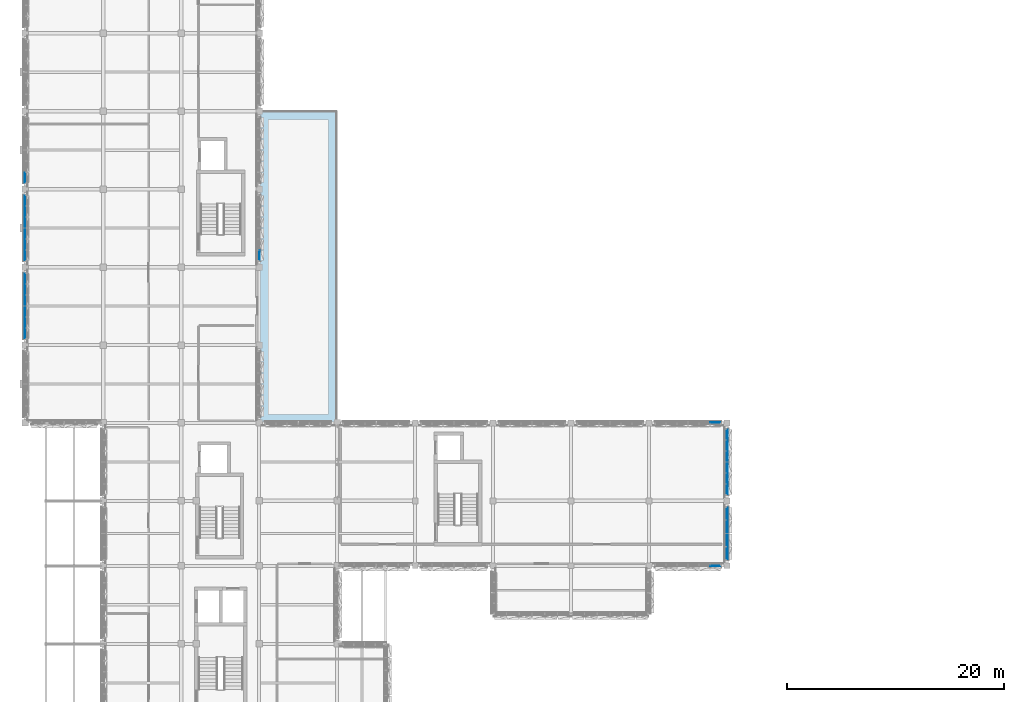
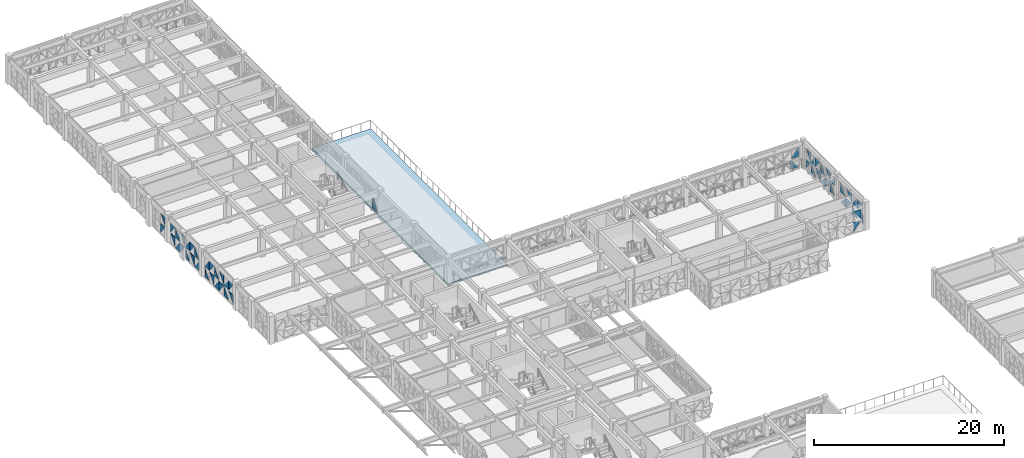
# One storey, part 42 of 99: 51 plates, 1 slab, 8 elements without a shape of their own.
"""IFC4 building model written with IfcOpenShell, lengths in metres."""

from ifc_helpers import new_model, si_unit, direction, frame, origin, place, context, subcontext, project, spatial, polyline, outline, extrude, material, layer, layer_set, type_object, element, aggregate, save


model = new_model("IFC4")

# Units and contexts
model_context = context("Model", 3, precision=1e-05, world=origin(), true_north=direction((0.0, 1.0)))
body_context = subcontext(model_context, "Body", "Model", "MODEL_VIEW")
ifc_project = project(units=[si_unit("LENGTHUNIT", "METRE"), si_unit("AREAUNIT", "SQUARE_METRE"), si_unit("VOLUMEUNIT", "CUBIC_METRE"), si_unit("PLANEANGLEUNIT", "RADIAN"), si_unit("MASSUNIT", "GRAM", prefix="KILO")], contexts=[model_context])

# Site, building, storey
site_placement = place(None, origin())
site = spatial("IfcSite", under=ifc_project, at=site_placement, CompositionType="ELEMENT")
building_placement = place(site_placement, origin())
building = spatial("IfcBuilding", under=site, at=building_placement, Name="Alvorim Cloister Faculty of Sciences", CompositionType="ELEMENT")
storey_placement = place(building_placement, frame((0.0, 0.0, 12.14990234375)))
storey = spatial("IfcBuildingStorey", under=building, at=storey_placement, Name="L03", CompositionType="ELEMENT", Elevation=12.14990234375)

# Curtain wall, plates
ifc_material_1 = material(Name="Aluminium and Low-E Glass Curtain Wall", Category="aluminium")
curtain_wall_type_1 = type_object("IfcCurtainWallType", Name="CW-TRI-6120x2850", PredefinedType="USERDEFINED", material=ifc_material_1)
curtain_wall_1_placement = place(storey_placement, origin())
curtain_wall_1 = element("IfcCurtainWall", 1, at=curtain_wall_1_placement, inside=storey, type_object=curtain_wall_type_1, Name="L03 Diagonal Cassette Curtain Wall CW-0107", ObjectType="UNITISED CURTAIN WALL", PredefinedType="USERDEFINED")
ifc_material_2 = material(Name="Double Low-E Laminated Glass", Category="glass")
ifc_layer_1 = layer(ifc_material_2, 0.0400390625)
ifc_layer_set_1 = layer_set([ifc_layer_1], Name="Double Low-E Laminated Glass")
plate_type = type_object("IfcPlateType", Name="PN-GLZ-40", PredefinedType="CURTAIN_PANEL", material=ifc_layer_set_1)
plate_1_placement = place(storey_placement, frame((-0.02490234375, 64.205078125, 0.14013671875), z_axis=(0.0, 0.0, 1.0), x_axis=(0.0, 1.0, 0.0)))
plate_1 = element("IfcPlate", 2, at=plate_1_placement, type_object=plate_type, Name="Diagonal Glazed Triangle TRI-TL", PredefinedType="CURTAIN_PANEL", context=body_context, shape_type="SweptSolid", body=[
    extrude(outline(polyline([(0.920654296875, 1.21484375), (0.0, 1.21484375), (0.0, 0.001953125), (0.920654296875, 1.21484375)])), frame((0.0, 0.02490234375, 0.0), z_axis=(0.0, -1.0, 0.0), x_axis=(1.0, 0.0, 0.0)), (0.0, 0.0, 1.0), 0.050048828125),
])
plate_2_placement = place(storey_placement, frame((-0.02490234375, 64.205078125, 1.4951171875), z_axis=(0.0, 0.0, 1.0), x_axis=(0.0, 1.0, 0.0)))
plate_2 = element("IfcPlate", 3, at=plate_2_placement, type_object=plate_type, Name="Diagonal Glazed Triangle TRI-TR", PredefinedType="CURTAIN_PANEL", context=body_context, shape_type="SweptSolid", body=[
    extrude(outline(polyline([(0.922607421875, 0.001953125), (0.922607421875, 1.215087890625), (0.001953125, 1.215087890625), (0.922607421875, 0.001953125)])), frame((0.0, 0.02490234375, 0.0), z_axis=(0.0, -1.0, 0.0), x_axis=(1.0, 0.0, 0.0)), (0.0, 0.0, 1.0), 0.050048828125),
])
plate_3_placement = place(storey_placement, frame((-0.02490234375, 65.1923828125, 0.14013671875), z_axis=(0.0, 0.0, 1.0), x_axis=(0.0, 1.0, 0.0)))
plate_3 = element("IfcPlate", 4, at=plate_3_placement, type_object=plate_type, Name="Diagonal Glazed Triangle TRI-BR", PredefinedType="CURTAIN_PANEL", context=body_context, shape_type="SweptSolid", body=[
    extrude(outline(polyline([(0.001953125, 0.0), (0.955078125, 0.0), (0.955078125, 1.212890625), (0.001953125, 0.0)])), frame((0.0, 0.02490234375, 0.0), z_axis=(0.0, -1.0, 0.0), x_axis=(1.0, 0.0, 0.0)), (0.0, 0.0, 1.0), 0.050048828125),
])
plate_4_placement = place(storey_placement, frame((-0.02490234375, 65.1923828125, 1.4951171875), z_axis=(0.0, 0.0, 1.0), x_axis=(0.0, 1.0, 0.0)))
plate_4 = element("IfcPlate", 5, at=plate_4_placement, type_object=plate_type, Name="Diagonal Glazed Triangle TRI-BL", PredefinedType="CURTAIN_PANEL", context=body_context, shape_type="SweptSolid", body=[
    extrude(outline(polyline([(0.0, 0.0), (0.953125, 0.0), (0.0, 1.213134765625), (0.0, 0.0)])), frame((0.0, 0.02490234375, 0.0), z_axis=(0.0, -1.0, 0.0), x_axis=(1.0, 0.0, 0.0)), (0.0, 0.0, 1.0), 0.050048828125),
])
plate_5_placement = place(storey_placement, frame((-0.02490234375, 66.21240234375, 0.14013671875), z_axis=(0.0, 0.0, 1.0), x_axis=(0.0, 1.0, 0.0)))
plate_5 = element("IfcPlate", 6, at=plate_5_placement, type_object=plate_type, Name="Diagonal Glazed Triangle TRI-TR", PredefinedType="CURTAIN_PANEL", context=body_context, shape_type="SweptSolid", body=[
    extrude(outline(polyline([(0.955078125, 0.001953125), (0.955078125, 1.21484375), (0.001953125, 1.21484375), (0.955078125, 0.001953125)])), frame((0.0, 0.02490234375, 0.0), z_axis=(0.0, -1.0, 0.0), x_axis=(1.0, 0.0, 0.0)), (0.0, 0.0, 1.0), 0.050048828125),
])
plate_6_placement = place(storey_placement, frame((-0.02490234375, 66.21240234375, 1.4951171875), z_axis=(0.0, 0.0, 1.0), x_axis=(0.0, 1.0, 0.0)))
plate_6 = element("IfcPlate", 7, at=plate_6_placement, type_object=plate_type, Name="Diagonal Glazed Triangle TRI-TL", PredefinedType="CURTAIN_PANEL", context=body_context, shape_type="SweptSolid", body=[
    extrude(outline(polyline([(0.953125, 1.215087890625), (0.0, 1.215087890625), (0.0, 0.001953125), (0.953125, 1.215087890625)])), frame((0.0, 0.02490234375, 0.0), z_axis=(0.0, -1.0, 0.0), x_axis=(1.0, 0.0, 0.0)), (0.0, 0.0, 1.0), 0.050048828125),
])
plate_7_placement = place(storey_placement, frame((-0.02490234375, 67.232421875, 0.14013671875), z_axis=(0.0, 0.0, 1.0), x_axis=(0.0, 1.0, 0.0)))
plate_7 = element("IfcPlate", 8, at=plate_7_placement, type_object=plate_type, Name="Diagonal Glazed Triangle TRI-BL", PredefinedType="CURTAIN_PANEL", context=body_context, shape_type="SweptSolid", body=[
    extrude(outline(polyline([(0.0, 0.0), (0.953125, 0.0), (0.0, 1.212890625), (0.0, 0.0)])), frame((0.0, 0.02490234375, 0.0), z_axis=(0.0, -1.0, 0.0), x_axis=(1.0, 0.0, 0.0)), (0.0, 0.0, 1.0), 0.050048828125),
])
plate_8_placement = place(storey_placement, frame((-0.02490234375, 67.232421875, 1.4951171875), z_axis=(0.0, 0.0, 1.0), x_axis=(0.0, 1.0, 0.0)))
plate_8 = element("IfcPlate", 9, at=plate_8_placement, type_object=plate_type, Name="Diagonal Glazed Triangle TRI-BR", PredefinedType="CURTAIN_PANEL", context=body_context, shape_type="SweptSolid", body=[
    extrude(outline(polyline([(0.001953125, 0.0), (0.955078125, 0.0), (0.955078125, 1.213134765625), (0.001953125, 0.0)])), frame((0.0, 0.02490234375, 0.0), z_axis=(0.0, -1.0, 0.0), x_axis=(1.0, 0.0, 0.0)), (0.0, 0.0, 1.0), 0.050048828125),
])
plate_9_placement = place(storey_placement, frame((-0.02490234375, 68.25244140625, 0.14013671875), z_axis=(0.0, 0.0, 1.0), x_axis=(0.0, 1.0, 0.0)))
plate_9 = element("IfcPlate", 10, at=plate_9_placement, type_object=plate_type, Name="Diagonal Glazed Triangle TRI-TL", PredefinedType="CURTAIN_PANEL", context=body_context, shape_type="SweptSolid", body=[
    extrude(outline(polyline([(0.953125, 1.21484375), (0.0, 1.21484375), (0.0, 0.001953125), (0.953125, 1.21484375)])), frame((0.0, 0.02490234375, 0.0), z_axis=(0.0, -1.0, 0.0), x_axis=(1.0, 0.0, 0.0)), (0.0, 0.0, 1.0), 0.050048828125),
])
plate_10_placement = place(storey_placement, frame((-0.02490234375, 68.25244140625, 1.4951171875), z_axis=(0.0, 0.0, 1.0), x_axis=(0.0, 1.0, 0.0)))
plate_10 = element("IfcPlate", 11, at=plate_10_placement, type_object=plate_type, Name="Diagonal Glazed Triangle TRI-TR", PredefinedType="CURTAIN_PANEL", context=body_context, shape_type="SweptSolid", body=[
    extrude(outline(polyline([(0.955078125, 0.001953125), (0.955078125, 1.215087890625), (0.001953125, 1.215087890625), (0.955078125, 0.001953125)])), frame((0.0, 0.02490234375, 0.0), z_axis=(0.0, -1.0, 0.0), x_axis=(1.0, 0.0, 0.0)), (0.0, 0.0, 1.0), 0.050048828125),
])
plate_11_placement = place(storey_placement, frame((-0.02490234375, 69.2724609375, 0.14013671875), z_axis=(0.0, 0.0, 1.0), x_axis=(0.0, 1.0, 0.0)))
plate_11 = element("IfcPlate", 12, at=plate_11_placement, type_object=plate_type, Name="Diagonal Glazed Triangle TRI-BR", PredefinedType="CURTAIN_PANEL", context=body_context, shape_type="SweptSolid", body=[
    extrude(outline(polyline([(0.001953125, 0.0), (0.922607421875, 0.0), (0.922607421875, 1.212890625), (0.001953125, 0.0)])), frame((0.0, 0.02490234375, 0.0), z_axis=(0.0, -1.0, 0.0), x_axis=(1.0, 0.0, 0.0)), (0.0, 0.0, 1.0), 0.050048828125),
])
plate_12_placement = place(storey_placement, frame((-0.02490234375, 69.2724609375, 1.4951171875), z_axis=(0.0, 0.0, 1.0), x_axis=(0.0, 1.0, 0.0)))
plate_12 = element("IfcPlate", 13, at=plate_12_placement, type_object=plate_type, Name="Diagonal Glazed Triangle TRI-BL", PredefinedType="CURTAIN_PANEL", context=body_context, shape_type="SweptSolid", body=[
    extrude(outline(polyline([(0.0, 0.0), (0.920654296875, 0.0), (0.0, 1.213134765625), (0.0, 0.0)])), frame((0.0, 0.02490234375, 0.0), z_axis=(0.0, -1.0, 0.0), x_axis=(1.0, 0.0, 0.0)), (0.0, 0.0, 1.0), 0.050048828125),
])
aggregate(curtain_wall_1, [plate_1, plate_2, plate_3, plate_4, plate_5, plate_6, plate_7, plate_8, plate_9, plate_10, plate_11, plate_12])

curtain_wall_2_placement = place(storey_placement, origin())
curtain_wall_2 = element("IfcCurtainWall", 14, at=curtain_wall_2_placement, inside=storey, type_object=curtain_wall_type_1, Name="L03 Diagonal Cassette Curtain Wall CW-0108", ObjectType="UNITISED CURTAIN WALL", PredefinedType="USERDEFINED")
plate_13_placement = place(storey_placement, frame((-0.02490234375, 71.405029296875, 0.14013671875), z_axis=(0.0, 0.0, 1.0), x_axis=(0.0, 1.0, 0.0)))
plate_13 = element("IfcPlate", 15, at=plate_13_placement, type_object=plate_type, Name="Diagonal Glazed Triangle TRI-BL", PredefinedType="CURTAIN_PANEL", context=body_context, shape_type="SweptSolid", body=[
    extrude(outline(polyline([(0.0, 0.0), (0.920654296875, 0.0), (0.0, 1.212890625), (0.0, 0.0)])), frame((0.0, 0.02490234375, 0.0), z_axis=(0.0, -1.0, 0.0), x_axis=(1.0, 0.0, 0.0)), (0.0, 0.0, 1.0), 0.050048828125),
])
plate_14_placement = place(storey_placement, frame((-0.02490234375, 71.405029296875, 1.4951171875), z_axis=(0.0, 0.0, 1.0), x_axis=(0.0, 1.0, 0.0)))
plate_14 = element("IfcPlate", 16, at=plate_14_placement, type_object=plate_type, Name="Diagonal Glazed Triangle TRI-BR", PredefinedType="CURTAIN_PANEL", context=body_context, shape_type="SweptSolid", body=[
    extrude(outline(polyline([(0.001953125, 0.0), (0.922607421875, 0.0), (0.922607421875, 1.213134765625), (0.001953125, 0.0)])), frame((0.0, 0.02490234375, 0.0), z_axis=(0.0, -1.0, 0.0), x_axis=(1.0, 0.0, 0.0)), (0.0, 0.0, 1.0), 0.050048828125),
])
plate_15_placement = place(storey_placement, frame((-0.02490234375, 72.392578125, 0.14013671875), z_axis=(0.0, 0.0, 1.0), x_axis=(0.0, 1.0, 0.0)))
plate_15 = element("IfcPlate", 17, at=plate_15_placement, type_object=plate_type, Name="Diagonal Glazed Triangle TRI-TL", PredefinedType="CURTAIN_PANEL", context=body_context, shape_type="SweptSolid", body=[
    extrude(outline(polyline([(0.953125, 1.21484375), (0.0, 1.21484375), (0.0, 0.001953125), (0.953125, 1.21484375)])), frame((0.0, 0.02490234375, 0.0), z_axis=(0.0, -1.0, 0.0), x_axis=(1.0, 0.0, 0.0)), (0.0, 0.0, 1.0), 0.050048828125),
])
plate_16_placement = place(storey_placement, frame((-0.02490234375, 72.392578125, 1.4951171875), z_axis=(0.0, 0.0, 1.0), x_axis=(0.0, 1.0, 0.0)))
plate_16 = element("IfcPlate", 18, at=plate_16_placement, type_object=plate_type, Name="Diagonal Glazed Triangle TRI-TR", PredefinedType="CURTAIN_PANEL", context=body_context, shape_type="SweptSolid", body=[
    extrude(outline(polyline([(0.955078125, 0.001953125), (0.955078125, 1.215087890625), (0.001953125, 1.215087890625), (0.955078125, 0.001953125)])), frame((0.0, 0.02490234375, 0.0), z_axis=(0.0, -1.0, 0.0), x_axis=(1.0, 0.0, 0.0)), (0.0, 0.0, 1.0), 0.050048828125),
])
plate_17_placement = place(storey_placement, frame((-0.02490234375, 73.41259765625, 0.14013671875), z_axis=(0.0, 0.0, 1.0), x_axis=(0.0, 1.0, 0.0)))
plate_17 = element("IfcPlate", 19, at=plate_17_placement, type_object=plate_type, Name="Diagonal Glazed Triangle TRI-BR", PredefinedType="CURTAIN_PANEL", context=body_context, shape_type="SweptSolid", body=[
    extrude(outline(polyline([(0.001953125, 0.0), (0.955078125, 0.0), (0.955078125, 1.212890625), (0.001953125, 0.0)])), frame((0.0, 0.02490234375, 0.0), z_axis=(0.0, -1.0, 0.0), x_axis=(1.0, 0.0, 0.0)), (0.0, 0.0, 1.0), 0.050048828125),
])
plate_18_placement = place(storey_placement, frame((-0.02490234375, 73.41259765625, 1.4951171875), z_axis=(0.0, 0.0, 1.0), x_axis=(0.0, 1.0, 0.0)))
plate_18 = element("IfcPlate", 20, at=plate_18_placement, type_object=plate_type, Name="Diagonal Glazed Triangle TRI-BL", PredefinedType="CURTAIN_PANEL", context=body_context, shape_type="SweptSolid", body=[
    extrude(outline(polyline([(0.0, 0.0), (0.953125, 0.0), (0.0, 1.213134765625), (0.0, 0.0)])), frame((0.0, 0.02490234375, 0.0), z_axis=(0.0, -1.0, 0.0), x_axis=(1.0, 0.0, 0.0)), (0.0, 0.0, 1.0), 0.050048828125),
])
plate_19_placement = place(storey_placement, frame((-0.02490234375, 74.4326171875, 0.14013671875), z_axis=(0.0, 0.0, 1.0), x_axis=(0.0, 1.0, 0.0)))
plate_19 = element("IfcPlate", 21, at=plate_19_placement, type_object=plate_type, Name="Diagonal Glazed Triangle TRI-TR", PredefinedType="CURTAIN_PANEL", context=body_context, shape_type="SweptSolid", body=[
    extrude(outline(polyline([(0.955078125, 0.001953125), (0.955078125, 1.21484375), (0.001953125, 1.21484375), (0.955078125, 0.001953125)])), frame((0.0, 0.02490234375, 0.0), z_axis=(0.0, -1.0, 0.0), x_axis=(1.0, 0.0, 0.0)), (0.0, 0.0, 1.0), 0.050048828125),
])
plate_20_placement = place(storey_placement, frame((-0.02490234375, 74.4326171875, 1.4951171875), z_axis=(0.0, 0.0, 1.0), x_axis=(0.0, 1.0, 0.0)))
plate_20 = element("IfcPlate", 22, at=plate_20_placement, type_object=plate_type, Name="Diagonal Glazed Triangle TRI-TL", PredefinedType="CURTAIN_PANEL", context=body_context, shape_type="SweptSolid", body=[
    extrude(outline(polyline([(0.953125, 1.215087890625), (0.0, 1.215087890625), (0.0, 0.001953125), (0.953125, 1.215087890625)])), frame((0.0, 0.02490234375, 0.0), z_axis=(0.0, -1.0, 0.0), x_axis=(1.0, 0.0, 0.0)), (0.0, 0.0, 1.0), 0.050048828125),
])
plate_21_placement = place(storey_placement, frame((-0.02490234375, 75.452392578125, 0.14013671875), z_axis=(0.0, 0.0, 1.0), x_axis=(0.0, 1.0, 0.0)))
plate_21 = element("IfcPlate", 23, at=plate_21_placement, type_object=plate_type, Name="Diagonal Glazed Triangle TRI-BL", PredefinedType="CURTAIN_PANEL", context=body_context, shape_type="SweptSolid", body=[
    extrude(outline(polyline([(0.0, 0.0), (0.953125, 0.0), (0.0, 1.212890625), (0.0, 0.0)])), frame((0.0, 0.02490234375, 0.0), z_axis=(0.0, -1.0, 0.0), x_axis=(1.0, 0.0, 0.0)), (0.0, 0.0, 1.0), 0.050048828125),
])
plate_22_placement = place(storey_placement, frame((-0.02490234375, 75.452392578125, 1.4951171875), z_axis=(0.0, 0.0, 1.0), x_axis=(0.0, 1.0, 0.0)))
plate_22 = element("IfcPlate", 24, at=plate_22_placement, type_object=plate_type, Name="Diagonal Glazed Triangle TRI-BR", PredefinedType="CURTAIN_PANEL", context=body_context, shape_type="SweptSolid", body=[
    extrude(outline(polyline([(0.001953125, 0.0), (0.955078125, 0.0), (0.955078125, 1.213134765625), (0.001953125, 0.0)])), frame((0.0, 0.02490234375, 0.0), z_axis=(0.0, -1.0, 0.0), x_axis=(1.0, 0.0, 0.0)), (0.0, 0.0, 1.0), 0.050048828125),
])
plate_23_placement = place(storey_placement, frame((-0.02490234375, 76.472412109375, 0.14013671875), z_axis=(0.0, 0.0, 1.0), x_axis=(0.0, 1.0, 0.0)))
plate_23 = element("IfcPlate", 25, at=plate_23_placement, type_object=plate_type, Name="Diagonal Glazed Triangle TRI-TL", PredefinedType="CURTAIN_PANEL", context=body_context, shape_type="SweptSolid", body=[
    extrude(outline(polyline([(0.920654296875, 1.21484375), (0.0, 1.21484375), (0.0, 0.001953125), (0.920654296875, 1.21484375)])), frame((0.0, 0.02490234375, 0.0), z_axis=(0.0, -1.0, 0.0), x_axis=(1.0, 0.0, 0.0)), (0.0, 0.0, 1.0), 0.050048828125),
])
plate_24_placement = place(storey_placement, frame((-0.02490234375, 76.472412109375, 1.4951171875), z_axis=(0.0, 0.0, 1.0), x_axis=(0.0, 1.0, 0.0)))
plate_24 = element("IfcPlate", 26, at=plate_24_placement, type_object=plate_type, Name="Diagonal Glazed Triangle TRI-TR", PredefinedType="CURTAIN_PANEL", context=body_context, shape_type="SweptSolid", body=[
    extrude(outline(polyline([(0.922607421875, 0.001953125), (0.922607421875, 1.215087890625), (0.001953125, 1.215087890625), (0.922607421875, 0.001953125)])), frame((0.0, 0.02490234375, 0.0), z_axis=(0.0, -1.0, 0.0), x_axis=(1.0, 0.0, 0.0)), (0.0, 0.0, 1.0), 0.050048828125),
])
aggregate(curtain_wall_2, [plate_13, plate_14, plate_15, plate_16, plate_17, plate_18, plate_19, plate_20, plate_21, plate_22, plate_23, plate_24])

curtain_wall_3_placement = place(storey_placement, origin())
curtain_wall_3 = element("IfcCurtainWall", 27, at=curtain_wall_3_placement, inside=storey, type_object=curtain_wall_type_1, Name="L03 Diagonal Cassette Curtain Wall CW-0109", ObjectType="UNITISED CURTAIN WALL", PredefinedType="USERDEFINED")
plate_25_placement = place(storey_placement, frame((-0.02490234375, 78.60498046875, 0.14013671875), z_axis=(0.0, 0.0, 1.0), x_axis=(0.0, 1.0, 0.0)))
plate_25 = element("IfcPlate", 28, at=plate_25_placement, type_object=plate_type, Name="Diagonal Glazed Triangle TRI-TR", PredefinedType="CURTAIN_PANEL", context=body_context, shape_type="SweptSolid", body=[
    extrude(outline(polyline([(0.922607421875, 0.001953125), (0.922607421875, 1.21484375), (0.001953125, 1.21484375), (0.922607421875, 0.001953125)])), frame((0.0, 0.02490234375, 0.0), z_axis=(0.0, -1.0, 0.0), x_axis=(1.0, 0.0, 0.0)), (0.0, 0.0, 1.0), 0.050048828125),
])
plate_26_placement = place(storey_placement, frame((-0.02490234375, 78.60498046875, 1.4951171875), z_axis=(0.0, 0.0, 1.0), x_axis=(0.0, 1.0, 0.0)))
plate_26 = element("IfcPlate", 29, at=plate_26_placement, type_object=plate_type, Name="Diagonal Glazed Triangle TRI-TL", PredefinedType="CURTAIN_PANEL", context=body_context, shape_type="SweptSolid", body=[
    extrude(outline(polyline([(0.920654296875, 1.215087890625), (0.0, 1.215087890625), (0.0, 0.001953125), (0.920654296875, 1.215087890625)])), frame((0.0, 0.02490234375, 0.0), z_axis=(0.0, -1.0, 0.0), x_axis=(1.0, 0.0, 0.0)), (0.0, 0.0, 1.0), 0.050048828125),
])
aggregate(curtain_wall_3, [plate_25, plate_26])

# Curtain wall, plate
curtain_wall_4_placement = place(storey_placement, origin())
curtain_wall_4 = element("IfcCurtainWall", 30, at=curtain_wall_4_placement, inside=storey, type_object=curtain_wall_type_1, Name="L03 Diagonal Cassette Curtain Wall CW-0122", ObjectType="UNITISED CURTAIN WALL", PredefinedType="USERDEFINED")
plate_27_placement = place(storey_placement, frame((21.625, 71.405029296875, 0.14013671875), z_axis=(0.0, 0.0, 1.0), x_axis=(0.0, 1.0, 0.0)))
plate_27 = element("IfcPlate", 31, at=plate_27_placement, type_object=plate_type, Name="Diagonal Glazed Triangle TRI-BR", PredefinedType="CURTAIN_PANEL", context=body_context, shape_type="SweptSolid", body=[
    extrude(outline(polyline([(0.001953125, 0.0), (0.922607421875, 0.0), (0.922607421875, 1.212890625), (0.001953125, 0.0)])), frame((0.0, 0.02490234375, 0.0), z_axis=(0.0, -1.0, 0.0), x_axis=(1.0, 0.0, 0.0)), (0.0, 0.0, 1.0), 0.050048828125),
])
aggregate(curtain_wall_4, [plate_27])

# Curtain wall, plates
curtain_wall_5_placement = place(storey_placement, origin())
curtain_wall_5 = element("IfcCurtainWall", 32, at=curtain_wall_5_placement, inside=storey, type_object=curtain_wall_type_1, Name="L03 Diagonal Cassette Curtain Wall CW-0129", ObjectType="UNITISED CURTAIN WALL", PredefinedType="USERDEFINED")
plate_28_placement = place(storey_placement, frame((63.2724609375, 56.425048828125, 0.14013671875), z_axis=(0.0, 0.0, 1.0), x_axis=(1.0, 0.0, 0.0)))
plate_28 = element("IfcPlate", 33, at=plate_28_placement, type_object=plate_type, Name="Diagonal Glazed Triangle TRI-BL", PredefinedType="CURTAIN_PANEL", context=body_context, shape_type="SweptSolid", body=[
    extrude(outline(polyline([(0.0, 0.0), (0.920654296875, 0.0), (0.0, 1.212890625), (0.0, 0.0)])), frame((0.0, 0.02490234375, 0.0), z_axis=(0.0, -1.0, 0.0), x_axis=(1.0, 0.0, 0.0)), (0.0, 0.0, 1.0), 0.050048828125),
])
plate_29_placement = place(storey_placement, frame((63.2724609375, 56.425048828125, 1.4951171875), z_axis=(0.0, 0.0, 1.0), x_axis=(1.0, 0.0, 0.0)))
plate_29 = element("IfcPlate", 34, at=plate_29_placement, type_object=plate_type, Name="Diagonal Glazed Triangle TRI-BR", PredefinedType="CURTAIN_PANEL", context=body_context, shape_type="SweptSolid", body=[
    extrude(outline(polyline([(0.001953125, 0.0), (0.922607421875, 0.0), (0.922607421875, 1.213134765625), (0.001953125, 0.0)])), frame((0.0, 0.02490234375, 0.0), z_axis=(0.0, -1.0, 0.0), x_axis=(1.0, 0.0, 0.0)), (0.0, 0.0, 1.0), 0.050048828125),
])
aggregate(curtain_wall_5, [plate_28, plate_29])

curtain_wall_6_placement = place(storey_placement, origin())
curtain_wall_6 = element("IfcCurtainWall", 35, at=curtain_wall_6_placement, inside=storey, type_object=curtain_wall_type_1, Name="L03 Diagonal Cassette Curtain Wall CW-0130", ObjectType="UNITISED CURTAIN WALL", PredefinedType="USERDEFINED")
plate_30_placement = place(storey_placement, frame((64.824951171875, 49.804931640625, 0.14013671875), z_axis=(0.0, 0.0, 1.0), x_axis=(0.0, 1.0, 0.0)))
plate_30 = element("IfcPlate", 36, at=plate_30_placement, type_object=plate_type, Name="Diagonal Glazed Triangle TRI-BR", PredefinedType="CURTAIN_PANEL", context=body_context, shape_type="SweptSolid", body=[
    extrude(outline(polyline([(0.001953125, 0.0), (0.922607421875, 0.0), (0.922607421875, 1.212890625), (0.001953125, 0.0)])), frame((0.0, 0.02490234375, 0.0), z_axis=(0.0, -1.0, 0.0), x_axis=(1.0, 0.0, 0.0)), (0.0, 0.0, 1.0), 0.050048828125),
])
plate_31_placement = place(storey_placement, frame((64.824951171875, 49.804931640625, 1.4951171875), z_axis=(0.0, 0.0, 1.0), x_axis=(0.0, 1.0, 0.0)))
plate_31 = element("IfcPlate", 37, at=plate_31_placement, type_object=plate_type, Name="Diagonal Glazed Triangle TRI-BL", PredefinedType="CURTAIN_PANEL", context=body_context, shape_type="SweptSolid", body=[
    extrude(outline(polyline([(0.0, 0.0), (0.920654296875, 0.0), (0.0, 1.213134765625), (0.0, 0.0)])), frame((0.0, 0.02490234375, 0.0), z_axis=(0.0, -1.0, 0.0), x_axis=(1.0, 0.0, 0.0)), (0.0, 0.0, 1.0), 0.050048828125),
])
plate_32_placement = place(storey_placement, frame((64.824951171875, 50.79248046875, 0.14013671875), z_axis=(0.0, 0.0, 1.0), x_axis=(0.0, 1.0, 0.0)))
plate_32 = element("IfcPlate", 38, at=plate_32_placement, type_object=plate_type, Name="Diagonal Glazed Triangle TRI-TR", PredefinedType="CURTAIN_PANEL", context=body_context, shape_type="SweptSolid", body=[
    extrude(outline(polyline([(0.955078125, 0.001953125), (0.955078125, 1.21484375), (0.001953125, 1.21484375), (0.955078125, 0.001953125)])), frame((0.0, 0.02490234375, 0.0), z_axis=(0.0, -1.0, 0.0), x_axis=(1.0, 0.0, 0.0)), (0.0, 0.0, 1.0), 0.050048828125),
])
plate_33_placement = place(storey_placement, frame((64.824951171875, 50.79248046875, 1.4951171875), z_axis=(0.0, 0.0, 1.0), x_axis=(0.0, 1.0, 0.0)))
plate_33 = element("IfcPlate", 39, at=plate_33_placement, type_object=plate_type, Name="Diagonal Glazed Triangle TRI-TL", PredefinedType="CURTAIN_PANEL", context=body_context, shape_type="SweptSolid", body=[
    extrude(outline(polyline([(0.953125, 1.215087890625), (0.0, 1.215087890625), (0.0, 0.001953125), (0.953125, 1.215087890625)])), frame((0.0, 0.02490234375, 0.0), z_axis=(0.0, -1.0, 0.0), x_axis=(1.0, 0.0, 0.0)), (0.0, 0.0, 1.0), 0.050048828125),
])
plate_34_placement = place(storey_placement, frame((64.824951171875, 51.8125, 0.14013671875), z_axis=(0.0, 0.0, 1.0), x_axis=(0.0, 1.0, 0.0)))
plate_34 = element("IfcPlate", 40, at=plate_34_placement, type_object=plate_type, Name="Diagonal Glazed Triangle TRI-BL", PredefinedType="CURTAIN_PANEL", context=body_context, shape_type="SweptSolid", body=[
    extrude(outline(polyline([(0.0, 0.0), (0.953125, 0.0), (0.0, 1.212890625), (0.0, 0.0)])), frame((0.0, 0.02490234375, 0.0), z_axis=(0.0, -1.0, 0.0), x_axis=(1.0, 0.0, 0.0)), (0.0, 0.0, 1.0), 0.050048828125),
])
plate_35_placement = place(storey_placement, frame((64.824951171875, 51.8125, 1.4951171875), z_axis=(0.0, 0.0, 1.0), x_axis=(0.0, 1.0, 0.0)))
plate_35 = element("IfcPlate", 41, at=plate_35_placement, type_object=plate_type, Name="Diagonal Glazed Triangle TRI-BR", PredefinedType="CURTAIN_PANEL", context=body_context, shape_type="SweptSolid", body=[
    extrude(outline(polyline([(0.001953125, 0.0), (0.955078125, 0.0), (0.955078125, 1.213134765625), (0.001953125, 0.0)])), frame((0.0, 0.02490234375, 0.0), z_axis=(0.0, -1.0, 0.0), x_axis=(1.0, 0.0, 0.0)), (0.0, 0.0, 1.0), 0.050048828125),
])
plate_36_placement = place(storey_placement, frame((64.824951171875, 52.83251953125, 0.14013671875), z_axis=(0.0, 0.0, 1.0), x_axis=(0.0, 1.0, 0.0)))
plate_36 = element("IfcPlate", 42, at=plate_36_placement, type_object=plate_type, Name="Diagonal Glazed Triangle TRI-TL", PredefinedType="CURTAIN_PANEL", context=body_context, shape_type="SweptSolid", body=[
    extrude(outline(polyline([(0.953125, 1.21484375), (0.0, 1.21484375), (0.0, 0.001953125), (0.953125, 1.21484375)])), frame((0.0, 0.02490234375, 0.0), z_axis=(0.0, -1.0, 0.0), x_axis=(1.0, 0.0, 0.0)), (0.0, 0.0, 1.0), 0.050048828125),
])
plate_37_placement = place(storey_placement, frame((64.824951171875, 52.83251953125, 1.4951171875), z_axis=(0.0, 0.0, 1.0), x_axis=(0.0, 1.0, 0.0)))
plate_37 = element("IfcPlate", 43, at=plate_37_placement, type_object=plate_type, Name="Diagonal Glazed Triangle TRI-TR", PredefinedType="CURTAIN_PANEL", context=body_context, shape_type="SweptSolid", body=[
    extrude(outline(polyline([(0.955078125, 0.001953125), (0.955078125, 1.215087890625), (0.001953125, 1.215087890625), (0.955078125, 0.001953125)])), frame((0.0, 0.02490234375, 0.0), z_axis=(0.0, -1.0, 0.0), x_axis=(1.0, 0.0, 0.0)), (0.0, 0.0, 1.0), 0.050048828125),
])
plate_38_placement = place(storey_placement, frame((64.824951171875, 53.8525390625, 0.14013671875), z_axis=(0.0, 0.0, 1.0), x_axis=(0.0, 1.0, 0.0)))
plate_38 = element("IfcPlate", 44, at=plate_38_placement, type_object=plate_type, Name="Diagonal Glazed Triangle TRI-BR", PredefinedType="CURTAIN_PANEL", context=body_context, shape_type="SweptSolid", body=[
    extrude(outline(polyline([(0.001953125, 0.0), (0.955078125, 0.0), (0.955078125, 1.212890625), (0.001953125, 0.0)])), frame((0.0, 0.02490234375, 0.0), z_axis=(0.0, -1.0, 0.0), x_axis=(1.0, 0.0, 0.0)), (0.0, 0.0, 1.0), 0.050048828125),
])
plate_39_placement = place(storey_placement, frame((64.824951171875, 53.8525390625, 1.4951171875), z_axis=(0.0, 0.0, 1.0), x_axis=(0.0, 1.0, 0.0)))
plate_39 = element("IfcPlate", 45, at=plate_39_placement, type_object=plate_type, Name="Diagonal Glazed Triangle TRI-BL", PredefinedType="CURTAIN_PANEL", context=body_context, shape_type="SweptSolid", body=[
    extrude(outline(polyline([(0.0, 0.0), (0.953125, 0.0), (0.0, 1.213134765625), (0.0, 0.0)])), frame((0.0, 0.02490234375, 0.0), z_axis=(0.0, -1.0, 0.0), x_axis=(1.0, 0.0, 0.0)), (0.0, 0.0, 1.0), 0.050048828125),
])
plate_40_placement = place(storey_placement, frame((64.824951171875, 54.87255859375, 0.14013671875), z_axis=(0.0, 0.0, 1.0), x_axis=(0.0, 1.0, 0.0)))
plate_40 = element("IfcPlate", 46, at=plate_40_placement, type_object=plate_type, Name="Diagonal Glazed Triangle TRI-TR", PredefinedType="CURTAIN_PANEL", context=body_context, shape_type="SweptSolid", body=[
    extrude(outline(polyline([(0.922607421875, 0.001953125), (0.922607421875, 1.21484375), (0.001953125, 1.21484375), (0.922607421875, 0.001953125)])), frame((0.0, 0.02490234375, 0.0), z_axis=(0.0, -1.0, 0.0), x_axis=(1.0, 0.0, 0.0)), (0.0, 0.0, 1.0), 0.050048828125),
])
plate_41_placement = place(storey_placement, frame((64.824951171875, 54.87255859375, 1.4951171875), z_axis=(0.0, 0.0, 1.0), x_axis=(0.0, 1.0, 0.0)))
plate_41 = element("IfcPlate", 47, at=plate_41_placement, type_object=plate_type, Name="Diagonal Glazed Triangle TRI-TL", PredefinedType="CURTAIN_PANEL", context=body_context, shape_type="SweptSolid", body=[
    extrude(outline(polyline([(0.920654296875, 1.215087890625), (0.0, 1.215087890625), (0.0, 0.001953125), (0.920654296875, 1.215087890625)])), frame((0.0, 0.02490234375, 0.0), z_axis=(0.0, -1.0, 0.0), x_axis=(1.0, 0.0, 0.0)), (0.0, 0.0, 1.0), 0.050048828125),
])
aggregate(curtain_wall_6, [plate_30, plate_31, plate_32, plate_33, plate_34, plate_35, plate_36, plate_37, plate_38, plate_39, plate_40, plate_41])

curtain_wall_type_2 = type_object("IfcCurtainWallType", Name="CW-TRI-4920x2850", PredefinedType="USERDEFINED", material=ifc_material_1)
curtain_wall_7_placement = place(storey_placement, origin())
curtain_wall_7 = element("IfcCurtainWall", 48, at=curtain_wall_7_placement, inside=storey, type_object=curtain_wall_type_2, Name="L03 Diagonal Cassette Curtain Wall CW-0131", ObjectType="UNITISED CURTAIN WALL", PredefinedType="USERDEFINED")
plate_42_placement = place(storey_placement, frame((64.824951171875, 43.804931640625, 0.14013671875), z_axis=(0.0, 0.0, 1.0), x_axis=(0.0, 1.0, 0.0)))
plate_42 = element("IfcPlate", 49, at=plate_42_placement, type_object=plate_type, Name="Diagonal Glazed Triangle TRI-TL", PredefinedType="CURTAIN_PANEL", context=body_context, shape_type="SweptSolid", body=[
    extrude(outline(polyline([(1.130615234375, 1.21484375), (0.0, 1.21484375), (0.0, 0.001953125), (1.130615234375, 1.21484375)])), frame((0.0, 0.02490234375, 0.0), z_axis=(0.0, -1.0, 0.0), x_axis=(1.0, 0.0, 0.0)), (0.0, 0.0, 1.0), 0.050048828125),
])
plate_43_placement = place(storey_placement, frame((64.824951171875, 43.804931640625, 1.4951171875), z_axis=(0.0, 0.0, 1.0), x_axis=(0.0, 1.0, 0.0)))
plate_43 = element("IfcPlate", 50, at=plate_43_placement, type_object=plate_type, Name="Diagonal Glazed Triangle TRI-TR", PredefinedType="CURTAIN_PANEL", context=body_context, shape_type="SweptSolid", body=[
    extrude(outline(polyline([(1.132568359375, 0.001953125), (1.132568359375, 1.215087890625), (0.001953125, 1.215087890625), (1.132568359375, 0.001953125)])), frame((0.0, 0.02490234375, 0.0), z_axis=(0.0, -1.0, 0.0), x_axis=(1.0, 0.0, 0.0)), (0.0, 0.0, 1.0), 0.050048828125),
])
plate_44_placement = place(storey_placement, frame((64.824951171875, 45.00244140625, 0.14013671875), z_axis=(0.0, 0.0, 1.0), x_axis=(0.0, 1.0, 0.0)))
plate_44 = element("IfcPlate", 51, at=plate_44_placement, type_object=plate_type, Name="Diagonal Glazed Triangle TRI-BR", PredefinedType="CURTAIN_PANEL", context=body_context, shape_type="SweptSolid", body=[
    extrude(outline(polyline([(0.001953125, 0.0), (1.1650390625, 0.0), (1.1650390625, 1.212890625), (0.001953125, 0.0)])), frame((0.0, 0.02490234375, 0.0), z_axis=(0.0, -1.0, 0.0), x_axis=(1.0, 0.0, 0.0)), (0.0, 0.0, 1.0), 0.050048828125),
])
plate_45_placement = place(storey_placement, frame((64.824951171875, 45.00244140625, 1.4951171875), z_axis=(0.0, 0.0, 1.0), x_axis=(0.0, 1.0, 0.0)))
plate_45 = element("IfcPlate", 52, at=plate_45_placement, type_object=plate_type, Name="Diagonal Glazed Triangle TRI-BL", PredefinedType="CURTAIN_PANEL", context=body_context, shape_type="SweptSolid", body=[
    extrude(outline(polyline([(0.0, 0.0), (1.1630859375, 0.0), (0.0, 1.213134765625), (0.0, 0.0)])), frame((0.0, 0.02490234375, 0.0), z_axis=(0.0, -1.0, 0.0), x_axis=(1.0, 0.0, 0.0)), (0.0, 0.0, 1.0), 0.050048828125),
])
plate_46_placement = place(storey_placement, frame((64.824951171875, 46.232421875, 0.14013671875), z_axis=(0.0, 0.0, 1.0), x_axis=(0.0, 1.0, 0.0)))
plate_46 = element("IfcPlate", 53, at=plate_46_placement, type_object=plate_type, Name="Diagonal Glazed Triangle TRI-TR", PredefinedType="CURTAIN_PANEL", context=body_context, shape_type="SweptSolid", body=[
    extrude(outline(polyline([(1.1650390625, 0.001953125), (1.1650390625, 1.21484375), (0.001953125, 1.21484375), (1.1650390625, 0.001953125)])), frame((0.0, 0.02490234375, 0.0), z_axis=(0.0, -1.0, 0.0), x_axis=(1.0, 0.0, 0.0)), (0.0, 0.0, 1.0), 0.050048828125),
])
plate_47_placement = place(storey_placement, frame((64.824951171875, 46.232421875, 1.4951171875), z_axis=(0.0, 0.0, 1.0), x_axis=(0.0, 1.0, 0.0)))
plate_47 = element("IfcPlate", 54, at=plate_47_placement, type_object=plate_type, Name="Diagonal Glazed Triangle TRI-TL", PredefinedType="CURTAIN_PANEL", context=body_context, shape_type="SweptSolid", body=[
    extrude(outline(polyline([(1.1630859375, 1.215087890625), (0.0, 1.215087890625), (0.0, 0.001953125), (1.1630859375, 1.215087890625)])), frame((0.0, 0.02490234375, 0.0), z_axis=(0.0, -1.0, 0.0), x_axis=(1.0, 0.0, 0.0)), (0.0, 0.0, 1.0), 0.050048828125),
])
plate_48_placement = place(storey_placement, frame((64.824951171875, 47.46240234375, 0.14013671875), z_axis=(0.0, 0.0, 1.0), x_axis=(0.0, 1.0, 0.0)))
plate_48 = element("IfcPlate", 55, at=plate_48_placement, type_object=plate_type, Name="Diagonal Glazed Triangle TRI-BL", PredefinedType="CURTAIN_PANEL", context=body_context, shape_type="SweptSolid", body=[
    extrude(outline(polyline([(0.0, 0.0), (1.130615234375, 0.0), (0.0, 1.212890625), (0.0, 0.0)])), frame((0.0, 0.02490234375, 0.0), z_axis=(0.0, -1.0, 0.0), x_axis=(1.0, 0.0, 0.0)), (0.0, 0.0, 1.0), 0.050048828125),
])
plate_49_placement = place(storey_placement, frame((64.824951171875, 47.46240234375, 1.4951171875), z_axis=(0.0, 0.0, 1.0), x_axis=(0.0, 1.0, 0.0)))
plate_49 = element("IfcPlate", 56, at=plate_49_placement, type_object=plate_type, Name="Diagonal Glazed Triangle TRI-BR", PredefinedType="CURTAIN_PANEL", context=body_context, shape_type="SweptSolid", body=[
    extrude(outline(polyline([(0.001953125, 0.0), (1.132568359375, 0.0), (1.132568359375, 1.213134765625), (0.001953125, 0.0)])), frame((0.0, 0.02490234375, 0.0), z_axis=(0.0, -1.0, 0.0), x_axis=(1.0, 0.0, 0.0)), (0.0, 0.0, 1.0), 0.050048828125),
])
aggregate(curtain_wall_7, [plate_42, plate_43, plate_44, plate_45, plate_46, plate_47, plate_48, plate_49])

curtain_wall_8_placement = place(storey_placement, origin())
curtain_wall_8 = element("IfcCurtainWall", 57, at=curtain_wall_8_placement, inside=storey, type_object=curtain_wall_type_1, Name="L03 Diagonal Cassette Curtain Wall CW-0132", ObjectType="UNITISED CURTAIN WALL", PredefinedType="USERDEFINED")
plate_50_placement = place(storey_placement, frame((63.2724609375, 43.175048828125, 0.14013671875), z_axis=(0.0, 0.0, 1.0), x_axis=(1.0, 0.0, 0.0)))
plate_50 = element("IfcPlate", 58, at=plate_50_placement, type_object=plate_type, Name="Diagonal Glazed Triangle TRI-TL", PredefinedType="CURTAIN_PANEL", context=body_context, shape_type="SweptSolid", body=[
    extrude(outline(polyline([(0.920654296875, 1.21484375), (0.0, 1.21484375), (0.0, 0.001953125), (0.920654296875, 1.21484375)])), frame((0.0, 0.02490234375, 0.0), z_axis=(0.0, -1.0, 0.0), x_axis=(1.0, 0.0, 0.0)), (0.0, 0.0, 1.0), 0.050048828125),
])
plate_51_placement = place(storey_placement, frame((63.2724609375, 43.175048828125, 1.4951171875), z_axis=(0.0, 0.0, 1.0), x_axis=(1.0, 0.0, 0.0)))
plate_51 = element("IfcPlate", 59, at=plate_51_placement, type_object=plate_type, Name="Diagonal Glazed Triangle TRI-TR", PredefinedType="CURTAIN_PANEL", context=body_context, shape_type="SweptSolid", body=[
    extrude(outline(polyline([(0.922607421875, 0.001953125), (0.922607421875, 1.215087890625), (0.001953125, 1.215087890625), (0.922607421875, 0.001953125)])), frame((0.0, 0.02490234375, 0.0), z_axis=(0.0, -1.0, 0.0), x_axis=(1.0, 0.0, 0.0)), (0.0, 0.0, 1.0), 0.050048828125),
])
aggregate(curtain_wall_8, [plate_50, plate_51])

# Slab
ifc_material_3 = material(Name="Cross-Laminated Timber CLT C24", Category="wood")
ifc_layer_2 = layer(ifc_material_3, 0.2099609375)
ifc_layer_set_2 = layer_set([ifc_layer_2], Name="Cross-Laminated Timber CLT C24")
slab_type = type_object("IfcSlabType", Name="SL-TER-210", PredefinedType="USERDEFINED", material=ifc_layer_set_2)
slab_placement = place(storey_placement, frame((0.0, 0.0, -0.2099609375)))
element("IfcSlab", 60, at=slab_placement, inside=storey, type_object=slab_type, Name="L03 Cloister Commons Planted Roof Garden", ObjectType="TERRACE DECK", PredefinedType="USERDEFINED", context=body_context, shape_type="SweptSolid", body=[
    extrude(outline(polyline([(28.800048828125, 85.199951171875), (28.800048828125, 56.4150390625), (21.614990234375, 56.4150390625), (21.614990234375, 85.199951171875), (28.800048828125, 85.199951171875)])), origin(), (0.0, 0.0, 1.0), 0.2099609375),
])

save(model, "model.ifc")
